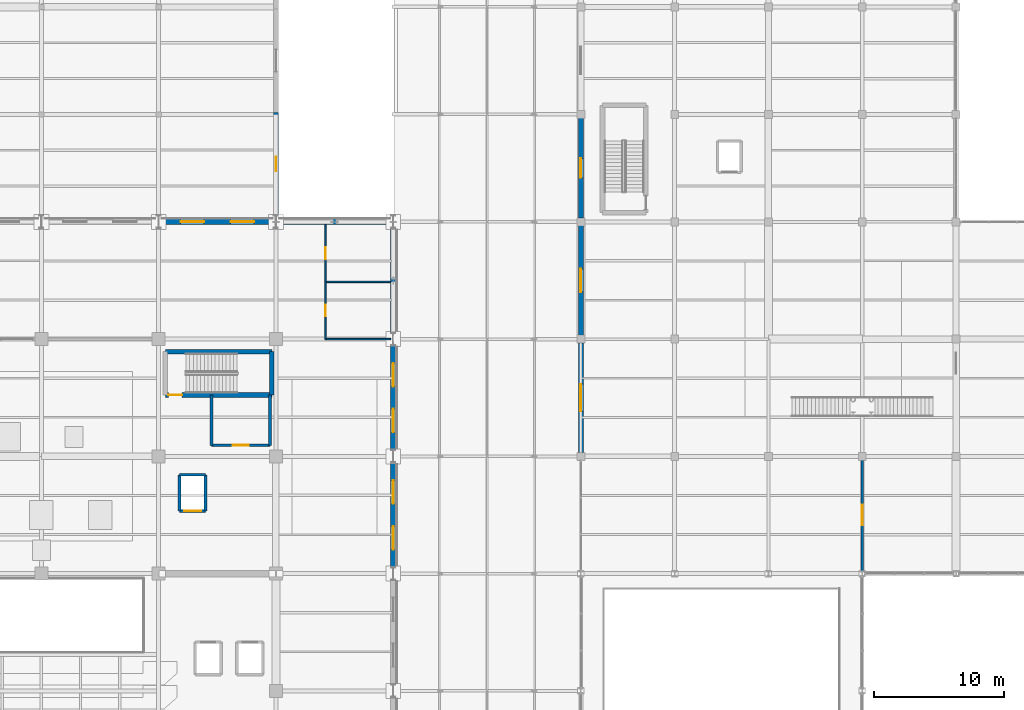
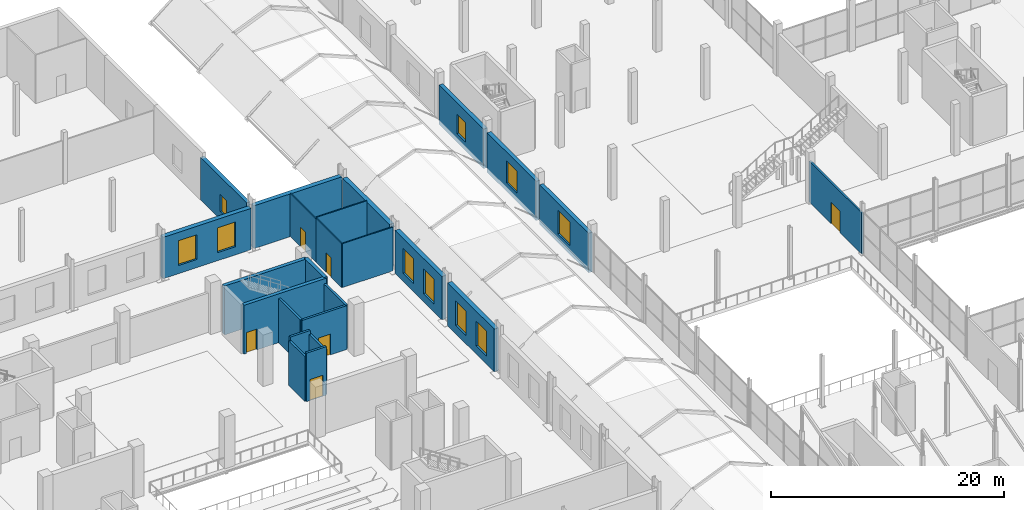
# One storey, part 121 of 141: 24 walls, 10 windows, 6 doors, 16 openings.
"""IFC4 building model written with IfcOpenShell, lengths in metres."""

import ifcopenshell
import ifcopenshell.guid

model = None  # the IFC model being written
_history = None  # IfcOwnerHistory: only IFC2X3 demands one
_inside = {}  # id of a spatial element -> (the spatial element, [elements in it])
_under = {}  # id of a project, library or spatial element -> (it, [spatial elements below it])
_declared = {}  # id of a project -> (the project, [libraries it declares])
_typed = {}  # id of a type object -> (the type object, [elements of that type])
_made_of = {}  # id of a material, layer set ... -> (it, [elements and type objects made of it])


def new_model(schema):
    """Start an empty IFC model of exactly this schema.

    Asked for "IFC4X3", IfcOpenShell would pick the latest addendum, in which some entities
    have other attributes; the version numbers below select the first issue.
    IFC2X3 requires an IfcOwnerHistory on every rooted entity: one is made here for all.
    """
    global model, _history
    if schema == "IFC4X3":
        model = ifcopenshell.file(schema_version=(4, 3, 0, 0))
    else:
        model = ifcopenshell.file(schema=schema)
    _inside.clear()
    _under.clear()
    _declared.clear()
    _typed.clear()
    _made_of.clear()
    _history = None
    if model.schema == "IFC2X3":
        org = make("IfcOrganization", Name="unknown")
        user = make(
            "IfcPersonAndOrganization",
            ThePerson=make("IfcPerson", FamilyName="unknown"),
            TheOrganization=org,
        )
        app = make(
            "IfcApplication",
            ApplicationDeveloper=org,
            Version="unknown",
            ApplicationFullName="unknown",
            ApplicationIdentifier="unknown",
        )
        _history = make(
            "IfcOwnerHistory",
            OwningUser=user,
            OwningApplication=app,
            ChangeAction="ADDED",
            CreationDate=0,
        )
    return model


def make(cls, **values):
    """One entity of the class cls with the attributes given. An attribute that is None is left unset."""
    return model.create_entity(
        cls, **{name: value for name, value in values.items() if value is not None}
    )


def rooted(cls, **values):
    """An entity with a GlobalId (a new one), such as an element, a storey or a relation."""
    return make(cls, GlobalId=ifcopenshell.guid.new(), OwnerHistory=_history, **values)


def si_unit(unit_type, name, prefix=None):
    """IfcSIUnit, for example si_unit("LENGTHUNIT", "METRE", prefix="MILLI")."""
    return make("IfcSIUnit", UnitType=unit_type, Prefix=prefix, Name=name)


def assignment(units):
    """IfcUnitAssignment: the units of a project."""
    return None if units is None else make("IfcUnitAssignment", Units=units)


def point(xyz):
    """IfcCartesianPoint."""
    return None if xyz is None else make("IfcCartesianPoint", Coordinates=xyz)


def direction(xyz):
    """IfcDirection."""
    return None if xyz is None else make("IfcDirection", DirectionRatios=xyz)


def frame(location, z_axis=None, x_axis=None):
    """IfcAxis2Placement3D, a coordinate frame: its origin and axes. An axis left out is left unset."""
    return make(
        "IfcAxis2Placement3D",
        Location=point(location),
        Axis=direction(z_axis),
        RefDirection=direction(x_axis),
    )


def frame_2d(location, x_axis=None):
    """IfcAxis2Placement2D, a coordinate frame in the plane: its origin and x axis."""
    return make(
        "IfcAxis2Placement2D", Location=point(location), RefDirection=direction(x_axis)
    )


def origin():
    """The frame at (0, 0, 0) with its axes left unset."""
    return frame((0.0, 0.0, 0.0))


def place(relative_to, where):
    """IfcLocalPlacement: puts the frame where relative to a parent placement (None: the world)."""
    return make(
        "IfcLocalPlacement", PlacementRelTo=relative_to, RelativePlacement=where
    )


def context(
    kind, dimensions, precision=None, world=None, true_north=None, identifier=None
):
    """IfcGeometricRepresentationContext, for example the 3D "Model" context."""
    return make(
        "IfcGeometricRepresentationContext",
        ContextIdentifier=identifier,
        ContextType=kind,
        CoordinateSpaceDimension=dimensions,
        Precision=precision,
        WorldCoordinateSystem=world,
        TrueNorth=true_north,
    )


def subcontext(parent, identifier, kind, view, scale=None):
    """IfcGeometricRepresentationSubContext, for example "Body" below "Model"."""
    return make(
        "IfcGeometricRepresentationSubContext",
        ContextIdentifier=identifier,
        ContextType=kind,
        ParentContext=parent,
        TargetScale=scale,
        TargetView=view,
    )


def project(units=None, contexts=None):
    """IfcProject with its units and contexts."""
    return rooted(
        "IfcProject",
        Name="project",
        RepresentationContexts=contexts,
        UnitsInContext=assignment(units),
    )


def spatial(cls, under=None, at=None, **own):
    """A site, building, storey or space (cls), placed at a placement, below another one or the project."""
    s = rooted(cls, ObjectPlacement=at, **own)
    if under is not None:
        _under.setdefault(under.id(), (under, []))[1].append(s)
    return s


def profile(cls, at=None, kind="AREA", **sizes):
    """A parametric profile (cls). Its sizes go by their IFC names, for example OverallWidth=200.0."""
    return make(cls, ProfileType=kind, Position=at, **sizes)


def rectangle(**sizes):
    """IfcRectangleProfileDef."""
    return profile("IfcRectangleProfileDef", **sizes)


def extrude(swept, where, along, depth):
    """IfcExtrudedAreaSolid: the profile swept, set in the frame where, extruded along a direction by depth."""
    return make(
        "IfcExtrudedAreaSolid",
        SweptArea=swept,
        Position=where,
        ExtrudedDirection=direction(along),
        Depth=depth,
    )


def shape(context_of_items, identifier, shape_type, items):
    """IfcShapeRepresentation: the items that make up one representation, for example the "Body"."""
    return make(
        "IfcShapeRepresentation",
        ContextOfItems=context_of_items,
        RepresentationIdentifier=identifier,
        RepresentationType=shape_type,
        Items=items,
    )


def material(Name=None, Category=None):
    """IfcMaterial."""
    return make("IfcMaterial", Name=Name, Category=Category)


def layer(
    of_material, thickness, ventilated=None, Name=None, Category=None, Priority=None
):
    """IfcMaterialLayer: one layer of a wall or slab, of a material (None: an air gap)."""
    return make(
        "IfcMaterialLayer",
        Material=of_material,
        LayerThickness=thickness,
        IsVentilated=ventilated,
        Name=Name,
        Category=Category,
        Priority=Priority,
    )


def layer_set(layers, Name=None):
    """IfcMaterialLayerSet."""
    return make("IfcMaterialLayerSet", MaterialLayers=layers, LayerSetName=Name)


def made_of(thing, what):
    """Note that an element or type object is made of a material, layer set ...; save() writes the relation."""
    if what is not None:
        _made_of.setdefault(what.id(), (what, []))[1].append(thing)
    return thing


def type_object(cls, material=None, **own):
    """A type object (cls), such as IfcWallType, which elements share."""
    return made_of(rooted(cls, **own), material)


def element(
    cls,
    number,
    at=None,
    inside=None,
    cuts=None,
    type_object=None,
    material=None,
    context=None,
    identifier="Body",
    shape_type=None,
    held_by="IfcProductDefinitionShape",
    body=None,
    shapes=None,
    **own,
):
    """One element of the class cls, such as IfcWall. Its Tag is "e" and its number.

    at: its placement. inside: the storey or other place that contains it. cuts: it is an
    opening in that element (IfcRelVoidsElement). A single representation is given by context,
    identifier, shape_type and body (its items); several are given by shapes. held_by: the class
    of the entity that holds the representations. save() writes the other relations.
    """
    e = rooted(cls, Tag="e%d" % number, ObjectPlacement=at, **own)
    if body is not None:
        shapes = [shape(context, identifier, shape_type, body)]
    if shapes is not None:
        e.Representation = make(held_by, Representations=shapes)
    if inside is not None:
        _inside.setdefault(inside.id(), (inside, []))[1].append(e)
    if cuts is not None:
        rooted(
            "IfcRelVoidsElement", RelatingBuildingElement=cuts, RelatedOpeningElement=e
        )
    if type_object is not None:
        _typed.setdefault(type_object.id(), (type_object, []))[1].append(e)
    return made_of(e, material)


def fill(opening, filler):
    """IfcRelFillsElement: the door or window that sits in an opening."""
    return rooted(
        "IfcRelFillsElement",
        RelatingOpeningElement=opening,
        RelatedBuildingElement=filler,
    )


def aggregate(whole, parts):
    """IfcRelAggregates: a whole, such as a stair, and the parts it consists of."""
    return rooted("IfcRelAggregates", RelatingObject=whole, RelatedObjects=parts)


def save(model, path):
    """Write the relations noted so far, then the file.

    IfcRelAggregates (storeys below a building ...), IfcRelContainedInSpatialStructure (elements
    in a storey), IfcRelDefinesByType, IfcRelAssociatesMaterial and IfcRelDeclares: one each for
    every whole, place, type object, material and project.
    """
    for whole, parts in _under.values():
        aggregate(whole, parts)
    for where, things in _inside.values():
        rooted(
            "IfcRelContainedInSpatialStructure",
            RelatedElements=things,
            RelatingStructure=where,
        )
    for kind, things in _typed.values():
        rooted("IfcRelDefinesByType", RelatedObjects=things, RelatingType=kind)
    for what, things in _made_of.values():
        rooted("IfcRelAssociatesMaterial", RelatedObjects=things, RelatingMaterial=what)
    for by, libraries in _declared.values():
        rooted("IfcRelDeclares", RelatingContext=by, RelatedDefinitions=libraries)
    model.write(path)


model = new_model("IFC4")

# Units and contexts
model_context = context("Model", 3, precision=1e-05, world=origin(), true_north=direction((0.0, 1.0)))
body_context = subcontext(model_context, "Body", "Model", "MODEL_VIEW")
ifc_project = project(units=[si_unit("LENGTHUNIT", "METRE"), si_unit("AREAUNIT", "SQUARE_METRE"), si_unit("VOLUMEUNIT", "CUBIC_METRE"), si_unit("PLANEANGLEUNIT", "RADIAN"), si_unit("MASSUNIT", "GRAM", prefix="KILO")], contexts=[model_context])

# Site, building, storey
site_placement = place(None, origin())
site = spatial("IfcSite", under=ifc_project, at=site_placement, CompositionType="ELEMENT")
building_placement = place(site_placement, origin())
building = spatial("IfcBuilding", under=site, at=building_placement, Name="Sundgate Opera House", CompositionType="ELEMENT")
storey_placement = place(building_placement, frame((0.0, 0.0, 11.39990234375)))
storey = spatial("IfcBuildingStorey", under=building, at=storey_placement, Name="L02", CompositionType="ELEMENT", Elevation=11.39990234375)

# Wall, opening, door
ifc_material_1 = material(Name="Concrete C40/50", Category="concrete")
ifc_layer_1 = layer(ifc_material_1, 0.35009765625)
ifc_layer_set_1 = layer_set([ifc_layer_1], Name="Concrete C40/50")
wall_type_1 = type_object("IfcWallType", Name="WL-CORE-350", PredefinedType="SHEAR", material=ifc_layer_set_1)
wall_1_placement = place(storey_placement, frame((63.510009765625, 73.7099609375, 0.0), z_axis=(0.0, 0.0, 1.0), x_axis=(1.0, 0.0, 0.0)))
wall_1 = element("IfcWall", 1, at=wall_1_placement, inside=storey, type_object=wall_type_1, Name="L02 C4 South Shaft Wall", PredefinedType="SHEAR", context=body_context, shape_type="SweptSolid", body=[
    extrude(rectangle(XDim=8.179931640625, YDim=0.35009765625, at=frame_2d((4.08984375, 0.0))), origin(), (0.0, 0.0, 1.0), 5.1201171875),
])
opening_1_placement = place(wall_1_placement, frame((0.239990234375, 0.0, 0.0)))
opening_1 = element("IfcOpeningElement", 2, at=opening_1_placement, cuts=wall_1, Name="Opening DI01", PredefinedType="OPENING", context=body_context, shape_type="SweptSolid", body=[
    extrude(rectangle(XDim=1.050048828125, YDim=2.179931640625, at=frame_2d((0.52490234375, 1.08984375))), frame((0.0, 0.18505859375, 0.0), z_axis=(0.0, -1.0, 0.0), x_axis=(1.0, 0.0, 0.0)), (0.0, 0.0, 1.0), 0.3701171875),
])
ifc_material_2 = material(Name="Acoustic hardwood timber and steel core", Category="steel")
door_type_1 = type_object("IfcDoorType", Name="DR-STAIR-1050x2180", OperationType="NOTDEFINED", PredefinedType="DOOR", material=ifc_material_2)
door_1_placement = place(opening_1_placement, origin())
door_1 = element("IfcDoor", 3, at=door_1_placement, inside=storey, type_object=door_type_1, Name="L02 C4 Stair Door D0062", OperationType="SINGLE_SWING_RIGHT", OverallHeight=2.179931640625, OverallWidth=1.050048828125, PredefinedType="DOOR", context=body_context, shape_type="SweptSolid", body=[
    extrude(rectangle(XDim=1.050048828125, YDim=2.179931640625, at=frame_2d((0.52490234375, 1.08984375))), frame((0.0, 0.02490234375, 0.0), z_axis=(0.0, -1.0, 0.0), x_axis=(1.0, 0.0, 0.0)), (0.0, 0.0, 1.0), 0.050048828125),
])
fill(opening_1, door_1)

# Walls
wall_2_placement = place(storey_placement, frame((63.510009765625, 77.0400390625, 0.0), z_axis=(0.0, 0.0, 1.0), x_axis=(1.0, 0.0, 0.0)))
element("IfcWall", 4, at=wall_2_placement, inside=storey, type_object=wall_type_1, Name="L02 C4 North Shaft Wall", PredefinedType="SHEAR", context=body_context, shape_type="SweptSolid", body=[
    extrude(rectangle(XDim=8.179931640625, YDim=0.35009765625, at=frame_2d((4.08984375, 0.0))), origin(), (0.0, 0.0, 1.0), 5.1201171875),
])
wall_3_placement = place(storey_placement, frame((71.68994140625, 73.7099609375, 0.0), z_axis=(0.0, 0.0, 1.0), x_axis=(0.0, 1.0, 0.0)))
element("IfcWall", 5, at=wall_3_placement, inside=storey, type_object=wall_type_1, Name="L02 C4 East Shaft Wall", PredefinedType="SHEAR", context=body_context, shape_type="SweptSolid", body=[
    extrude(rectangle(XDim=3.330078125, YDim=0.35009765625, at=frame_2d((1.6650390625, 0.0))), origin(), (0.0, 0.0, 1.0), 5.1201171875),
])

# Wall, opening, window
ifc_material_3 = material(Name="Scanian red-brown facing brick masonry", Category="masonry")
ifc_layer_2 = layer(ifc_material_3, 0.360107421875)
ifc_layer_set_2 = layer_set([ifc_layer_2], Name="Scanian red-brown facing brick masonry")
wall_type_2 = type_object("IfcWallType", Name="WL-EXT-BRICK-360", PredefinedType="SOLIDWALL", material=ifc_layer_set_2)
wall_4_placement = place(storey_placement, frame((72.0, 87.4951171875, 0.0), z_axis=(0.0, 0.0, 1.0), x_axis=(0.0, 1.0, 0.0)))
wall_4 = element("IfcWall", 6, at=wall_4_placement, inside=storey, type_object=wall_type_2, Name="L02 Costume Wing East Wall W0417", PredefinedType="SOLIDWALL", context=body_context, shape_type="SweptSolid", body=[
    extrude(rectangle(XDim=7.914794921875, YDim=0.360107421875, at=frame_2d((3.95751953125, 0.0))), origin(), (0.0, 0.0, 1.0), 4.485107421875),
])
opening_2_placement = place(wall_4_placement, frame((3.406982421875, 0.0, 0.85009765625)))
opening_2 = element("IfcOpeningElement", 7, at=opening_2_placement, cuts=wall_4, Name="Opening W12", PredefinedType="OPENING", context=body_context, shape_type="SweptSolid", body=[
    extrude(rectangle(XDim=1.10009765625, YDim=1.800048828125, at=frame_2d((0.550048828125, 0.89990234375))), frame((0.0, 0.18994140625, 0.0), z_axis=(0.0, -1.0, 0.0), x_axis=(1.0, 0.0, 0.0)), (0.0, 0.0, 1.0), 0.380126953125),
])
ifc_material_4 = material(Name="Low-iron triple glazing in patinated bronze frame", Category="glass")
window_type_1 = type_object("IfcWindowType", Name="WN-STAGE-1100x1800", PartitioningType="SINGLE_PANEL", PredefinedType="WINDOW", material=ifc_material_4)
window_1_placement = place(opening_2_placement, origin())
window_1 = element("IfcWindow", 8, at=window_1_placement, inside=storey, type_object=window_type_1, Name="L02 Costume Pavilion Window WN0330", OverallHeight=1.800048828125, OverallWidth=1.10009765625, PartitioningType="SINGLE_PANEL", PredefinedType="WINDOW", context=body_context, shape_type="SweptSolid", body=[
    extrude(rectangle(XDim=1.10009765625, YDim=1.800048828125, at=frame_2d((0.550048828125, 0.89990234375))), frame((0.0, 0.030029296875, 0.0), z_axis=(0.0, -1.0, 0.0), x_axis=(1.0, 0.0, 0.0)), (0.0, 0.0, 1.0), 0.06005859375),
])
fill(opening_2, window_1)

ifc_material_5 = material(Name="Scanian red-brown facing brick masonry", Category="masonry")
ifc_layer_3 = layer(ifc_material_5, 0.389892578125)
ifc_layer_set_3 = layer_set([ifc_layer_3], Name="Scanian red-brown facing brick masonry")
wall_type_3 = type_object("IfcWallType", Name="WL-EXT-BRICK-390", PredefinedType="SOLIDWALL", material=ifc_layer_set_3)
wall_5_placement = place(storey_placement, frame((95.39990234375, 77.705078125, 0.0), z_axis=(0.0, 0.0, 1.0), x_axis=(0.0, -1.0, 0.0)))
wall_5 = element("IfcWall", 9, at=wall_5_placement, inside=storey, type_object=wall_type_3, Name="L02 Conservatory West Brick Wall W0240", PredefinedType="SOLIDWALL", context=body_context, shape_type="SweptSolid", body=[
    extrude(rectangle(XDim=8.41015625, YDim=0.389892578125, at=frame_2d((4.205078125, 0.0))), origin(), (0.0, 0.0, 1.0), 4.135009765625),
])
opening_3_placement = place(wall_5_placement, frame((3.155029296875, 0.0, 0.89990234375)))
opening_3 = element("IfcOpeningElement", 10, at=opening_3_placement, cuts=wall_5, Name="Opening W04", PredefinedType="OPENING", context=body_context, shape_type="SweptSolid", body=[
    extrude(rectangle(XDim=2.10009765625, YDim=2.5, at=frame_2d((1.050048828125, 1.25))), frame((0.0, 0.204833984375, 0.0), z_axis=(0.0, -1.0, 0.0), x_axis=(1.0, 0.0, 0.0)), (0.0, 0.0, 1.0), 0.409912109375),
])
ifc_material_6 = material(Name="Low-iron triple glazing in patinated bronze frame", Category="glass")
window_type_2 = type_object("IfcWindowType", Name="WN-CONS-2100x2500", PartitioningType="SINGLE_PANEL", PredefinedType="WINDOW", material=ifc_material_6)
window_2_placement = place(opening_3_placement, origin())
window_2 = element("IfcWindow", 11, at=window_2_placement, inside=storey, type_object=window_type_2, Name="L02 Conservatory Window WN0188", OverallHeight=2.5, OverallWidth=2.10009765625, PartitioningType="SINGLE_PANEL", PredefinedType="WINDOW", context=body_context, shape_type="SweptSolid", body=[
    extrude(rectangle(XDim=2.10009765625, YDim=2.5, at=frame_2d((1.050048828125, 1.25))), frame((0.0, 0.030029296875, 0.0), z_axis=(0.0, -1.0, 0.0), x_axis=(1.0, 0.0, 0.0)), (0.0, 0.0, 1.0), 0.06005859375),
])
fill(opening_3, window_2)

wall_6_placement = place(storey_placement, frame((95.39990234375, 86.705078125, 0.0), z_axis=(0.0, 0.0, 1.0), x_axis=(0.0, -1.0, 0.0)))
wall_6 = element("IfcWall", 12, at=wall_6_placement, inside=storey, type_object=wall_type_3, Name="L02 Conservatory West Brick Wall W0241", PredefinedType="SOLIDWALL", context=body_context, shape_type="SweptSolid", body=[
    extrude(rectangle(XDim=8.41015625, YDim=0.389892578125, at=frame_2d((4.205078125, 0.0))), origin(), (0.0, 0.0, 1.0), 4.135009765625),
])
opening_4_placement = place(wall_6_placement, frame((3.304931640625, 0.0, 0.89990234375)))
opening_4 = element("IfcOpeningElement", 13, at=opening_4_placement, cuts=wall_6, Name="Opening W05", PredefinedType="OPENING", context=body_context, shape_type="SweptSolid", body=[
    extrude(rectangle(XDim=1.800048828125, YDim=2.300048828125, at=frame_2d((0.89990234375, 1.14990234375))), frame((0.0, 0.204833984375, 0.0), z_axis=(0.0, -1.0, 0.0), x_axis=(1.0, 0.0, 0.0)), (0.0, 0.0, 1.0), 0.409912109375),
])
ifc_material_7 = material(Name="Low-iron triple glazing in patinated bronze frame", Category="glass")
window_type_3 = type_object("IfcWindowType", Name="WN-CONS-1800x2300", PartitioningType="SINGLE_PANEL", PredefinedType="WINDOW", material=ifc_material_7)
window_3_placement = place(opening_4_placement, origin())
window_3 = element("IfcWindow", 14, at=window_3_placement, inside=storey, type_object=window_type_3, Name="L02 Conservatory Window WN0189", OverallHeight=2.300048828125, OverallWidth=1.800048828125, PartitioningType="SINGLE_PANEL", PredefinedType="WINDOW", context=body_context, shape_type="SweptSolid", body=[
    extrude(rectangle(XDim=1.800048828125, YDim=2.300048828125, at=frame_2d((0.89990234375, 1.14990234375))), frame((0.0, 0.030029296875, 0.0), z_axis=(0.0, -1.0, 0.0), x_axis=(1.0, 0.0, 0.0)), (0.0, 0.0, 1.0), 0.06005859375),
])
fill(opening_4, window_3)

wall_7_placement = place(storey_placement, frame((95.39990234375, 94.955078125, 0.0), z_axis=(0.0, 0.0, 1.0), x_axis=(0.0, -1.0, 0.0)))
wall_7 = element("IfcWall", 15, at=wall_7_placement, inside=storey, type_object=wall_type_3, Name="L02 Conservatory West Brick Wall W0242", PredefinedType="SOLIDWALL", context=body_context, shape_type="SweptSolid", body=[
    extrude(rectangle(XDim=7.66015625, YDim=0.389892578125, at=frame_2d((3.830078125, 0.0))), origin(), (0.0, 0.0, 1.0), 4.135009765625),
])
opening_5_placement = place(wall_7_placement, frame((3.080078125, 0.0, 0.89990234375)))
opening_5 = element("IfcOpeningElement", 16, at=opening_5_placement, cuts=wall_7, Name="Opening W06", PredefinedType="OPENING", context=body_context, shape_type="SweptSolid", body=[
    extrude(rectangle(XDim=1.5, YDim=2.050048828125, at=frame_2d((0.75, 1.02490234375))), frame((0.0, 0.204833984375, 0.0), z_axis=(0.0, -1.0, 0.0), x_axis=(1.0, 0.0, 0.0)), (0.0, 0.0, 1.0), 0.409912109375),
])
ifc_material_8 = material(Name="Low-iron triple glazing in patinated bronze frame", Category="glass")
window_type_4 = type_object("IfcWindowType", Name="WN-CONS-1500x2050", PartitioningType="SINGLE_PANEL", PredefinedType="WINDOW", material=ifc_material_8)
window_4_placement = place(opening_5_placement, origin())
window_4 = element("IfcWindow", 17, at=window_4_placement, inside=storey, type_object=window_type_4, Name="L02 Conservatory Window WN0190", OverallHeight=2.050048828125, OverallWidth=1.5, PartitioningType="SINGLE_PANEL", PredefinedType="WINDOW", context=body_context, shape_type="SweptSolid", body=[
    extrude(rectangle(XDim=1.5, YDim=2.050048828125, at=frame_2d((0.75, 1.02490234375))), frame((0.0, 0.030029296875, 0.0), z_axis=(0.0, -1.0, 0.0), x_axis=(1.0, 0.0, 0.0)), (0.0, 0.0, 1.0), 0.06005859375),
])
fill(opening_5, window_4)

# Wall, openings, windows
ifc_material_9 = material(Name="Komstad limestone ashlar masonry", Category="masonry")
ifc_layer_4 = layer(ifc_material_9, 0.43994140625)
ifc_layer_set_4 = layer_set([ifc_layer_4], Name="Komstad limestone ashlar masonry")
wall_type_4 = type_object("IfcWallType", Name="WL-EXT-LIME-440", PredefinedType="SOLIDWALL", material=ifc_layer_set_4)
wall_8_placement = place(storey_placement, frame((63.14501953125, 87.0, 0.0), z_axis=(0.0, 0.0, 1.0), x_axis=(1.0, 0.0, 0.0)))
wall_8 = element("IfcWall", 18, at=wall_8_placement, inside=storey, type_object=wall_type_4, Name="L02 Lifted Cube North Relief Wall W0054", PredefinedType="SOLIDWALL", context=body_context, shape_type="SweptSolid", body=[
    extrude(rectangle(XDim=8.7099609375, YDim=0.43994140625, at=frame_2d((4.35498046875, 0.0))), origin(), (0.0, 0.0, 1.0), 4.335205078125),
])
opening_6_placement = place(wall_8_placement, frame((1.5390625, 0.0, 0.85009765625)))
opening_6 = element("IfcOpeningElement", 19, at=opening_6_placement, cuts=wall_8, Name="Opening W01", PredefinedType="OPENING", context=body_context, shape_type="SweptSolid", body=[
    extrude(rectangle(XDim=1.800048828125, YDim=2.60009765625, at=frame_2d((0.89990234375, 1.300048828125))), frame((0.0, 0.22998046875, 0.0), z_axis=(0.0, -1.0, 0.0), x_axis=(1.0, 0.0, 0.0)), (0.0, 0.0, 1.0), 0.4599609375),
])
opening_7_placement = place(wall_8_placement, frame((5.37109375, 0.0, 0.85009765625)))
opening_7 = element("IfcOpeningElement", 20, at=opening_7_placement, cuts=wall_8, Name="Opening W01", PredefinedType="OPENING", context=body_context, shape_type="SweptSolid", body=[
    extrude(rectangle(XDim=1.800048828125, YDim=2.60009765625, at=frame_2d((0.89990234375, 1.300048828125))), frame((0.0, 0.22998046875, 0.0), z_axis=(0.0, -1.0, 0.0), x_axis=(1.0, 0.0, 0.0)), (0.0, 0.0, 1.0), 0.4599609375),
])
ifc_material_10 = material(Name="Low-iron triple glazing in patinated bronze frame", Category="glass")
window_type_5 = type_object("IfcWindowType", Name="WN-CUBE-1800x2600", PartitioningType="SINGLE_PANEL", PredefinedType="WINDOW", material=ifc_material_10)
window_5_placement = place(opening_6_placement, origin())
window_5 = element("IfcWindow", 21, at=window_5_placement, inside=storey, type_object=window_type_5, Name="L02 Cube Loggia Window WN0015", OverallHeight=2.60009765625, OverallWidth=1.800048828125, PartitioningType="SINGLE_PANEL", PredefinedType="WINDOW", context=body_context, shape_type="SweptSolid", body=[
    extrude(rectangle(XDim=1.800048828125, YDim=2.60009765625, at=frame_2d((0.89990234375, 1.300048828125))), frame((0.0, 0.030029296875, 0.0), z_axis=(0.0, -1.0, 0.0), x_axis=(1.0, 0.0, 0.0)), (0.0, 0.0, 1.0), 0.06005859375),
])
fill(opening_6, window_5)
window_6_placement = place(opening_7_placement, origin())
window_6 = element("IfcWindow", 22, at=window_6_placement, inside=storey, type_object=window_type_5, Name="L02 Cube Loggia Window WN0016", OverallHeight=2.60009765625, OverallWidth=1.800048828125, PartitioningType="SINGLE_PANEL", PredefinedType="WINDOW", context=body_context, shape_type="SweptSolid", body=[
    extrude(rectangle(XDim=1.800048828125, YDim=2.60009765625, at=frame_2d((0.89990234375, 1.300048828125))), frame((0.0, 0.030029296875, 0.0), z_axis=(0.0, -1.0, 0.0), x_axis=(1.0, 0.0, 0.0)), (0.0, 0.0, 1.0), 0.06005859375),
])
fill(opening_7, window_6)

# Wall
wall_9_placement = place(storey_placement, frame((72.14501953125, 87.0, 0.0), z_axis=(0.0, 0.0, 1.0), x_axis=(1.0, 0.0, 0.0)))
element("IfcWall", 23, at=wall_9_placement, inside=storey, type_object=wall_type_4, Name="L02 Lifted Cube North Relief Wall W0056", PredefinedType="SOLIDWALL", context=body_context, shape_type="SweptSolid", body=[
    extrude(rectangle(XDim=8.7099609375, YDim=0.43994140625, at=frame_2d((4.35498046875, 0.0))), origin(), (0.0, 0.0, 1.0), 4.485107421875),
])

# Wall, openings, windows
wall_10_placement = place(storey_placement, frame((81.0, 60.4951171875, 0.0), z_axis=(0.0, 0.0, 1.0), x_axis=(0.0, 1.0, 0.0)))
wall_10 = element("IfcWall", 24, at=wall_10_placement, inside=storey, type_object=wall_type_4, Name="L02 Lifted Cube East Relief Wall W0064", PredefinedType="SOLIDWALL", context=body_context, shape_type="SweptSolid", body=[
    extrude(rectangle(XDim=8.009765625, YDim=0.43994140625, at=frame_2d((4.0048828125, 0.0))), origin(), (0.0, 0.0, 1.0), 4.4951171875),
])
opening_8_placement = place(wall_10_placement, frame((1.343017578125, 0.0, 0.85009765625)))
opening_8 = element("IfcOpeningElement", 25, at=opening_8_placement, cuts=wall_10, Name="Opening W01", PredefinedType="OPENING", context=body_context, shape_type="SweptSolid", body=[
    extrude(rectangle(XDim=1.800048828125, YDim=2.60009765625, at=frame_2d((0.89990234375, 1.300048828125))), frame((0.0, 0.22998046875, 0.0), z_axis=(0.0, -1.0, 0.0), x_axis=(1.0, 0.0, 0.0)), (0.0, 0.0, 1.0), 0.4599609375),
])
opening_9_placement = place(wall_10_placement, frame((4.866943359375, 0.0, 0.85009765625)))
opening_9 = element("IfcOpeningElement", 26, at=opening_9_placement, cuts=wall_10, Name="Opening W01", PredefinedType="OPENING", context=body_context, shape_type="SweptSolid", body=[
    extrude(rectangle(XDim=1.800048828125, YDim=2.60009765625, at=frame_2d((0.89990234375, 1.300048828125))), frame((0.0, 0.22998046875, 0.0), z_axis=(0.0, -1.0, 0.0), x_axis=(1.0, 0.0, 0.0)), (0.0, 0.0, 1.0), 0.4599609375),
])
window_7_placement = place(opening_8_placement, origin())
window_7 = element("IfcWindow", 27, at=window_7_placement, inside=storey, type_object=window_type_5, Name="L02 Cube Loggia Window WN0025", OverallHeight=2.60009765625, OverallWidth=1.800048828125, PartitioningType="SINGLE_PANEL", PredefinedType="WINDOW", context=body_context, shape_type="SweptSolid", body=[
    extrude(rectangle(XDim=1.800048828125, YDim=2.60009765625, at=frame_2d((0.89990234375, 1.300048828125))), frame((0.0, 0.030029296875, 0.0), z_axis=(0.0, -1.0, 0.0), x_axis=(1.0, 0.0, 0.0)), (0.0, 0.0, 1.0), 0.06005859375),
])
fill(opening_8, window_7)
window_8_placement = place(opening_9_placement, origin())
window_8 = element("IfcWindow", 28, at=window_8_placement, inside=storey, type_object=window_type_5, Name="L02 Cube Loggia Window WN0026", OverallHeight=2.60009765625, OverallWidth=1.800048828125, PartitioningType="SINGLE_PANEL", PredefinedType="WINDOW", context=body_context, shape_type="SweptSolid", body=[
    extrude(rectangle(XDim=1.800048828125, YDim=2.60009765625, at=frame_2d((0.89990234375, 1.300048828125))), frame((0.0, 0.030029296875, 0.0), z_axis=(0.0, -1.0, 0.0), x_axis=(1.0, 0.0, 0.0)), (0.0, 0.0, 1.0), 0.06005859375),
])
fill(opening_9, window_8)

wall_11_placement = place(storey_placement, frame((81.0, 69.4951171875, 0.0), z_axis=(0.0, 0.0, 1.0), x_axis=(0.0, 1.0, 0.0)))
wall_11 = element("IfcWall", 29, at=wall_11_placement, inside=storey, type_object=wall_type_4, Name="L02 Lifted Cube East Relief Wall W0066", PredefinedType="SOLIDWALL", context=body_context, shape_type="SweptSolid", body=[
    extrude(rectangle(XDim=8.009765625, YDim=0.43994140625, at=frame_2d((4.0048828125, 0.0))), origin(), (0.0, 0.0, 1.0), 4.53515625),
])
opening_10_placement = place(wall_11_placement, frame((1.343017578125, 0.0, 0.85009765625)))
opening_10 = element("IfcOpeningElement", 30, at=opening_10_placement, cuts=wall_11, Name="Opening W01", PredefinedType="OPENING", context=body_context, shape_type="SweptSolid", body=[
    extrude(rectangle(XDim=1.800048828125, YDim=2.60009765625, at=frame_2d((0.89990234375, 1.300048828125))), frame((0.0, 0.22998046875, 0.0), z_axis=(0.0, -1.0, 0.0), x_axis=(1.0, 0.0, 0.0)), (0.0, 0.0, 1.0), 0.4599609375),
])
opening_11_placement = place(wall_11_placement, frame((4.866943359375, 0.0, 0.85009765625)))
opening_11 = element("IfcOpeningElement", 31, at=opening_11_placement, cuts=wall_11, Name="Opening W01", PredefinedType="OPENING", context=body_context, shape_type="SweptSolid", body=[
    extrude(rectangle(XDim=1.800048828125, YDim=2.60009765625, at=frame_2d((0.89990234375, 1.300048828125))), frame((0.0, 0.22998046875, 0.0), z_axis=(0.0, -1.0, 0.0), x_axis=(1.0, 0.0, 0.0)), (0.0, 0.0, 1.0), 0.4599609375),
])
window_9_placement = place(opening_10_placement, origin())
window_9 = element("IfcWindow", 32, at=window_9_placement, inside=storey, type_object=window_type_5, Name="L02 Cube Loggia Window WN0029", OverallHeight=2.60009765625, OverallWidth=1.800048828125, PartitioningType="SINGLE_PANEL", PredefinedType="WINDOW", context=body_context, shape_type="SweptSolid", body=[
    extrude(rectangle(XDim=1.800048828125, YDim=2.60009765625, at=frame_2d((0.89990234375, 1.300048828125))), frame((0.0, 0.030029296875, 0.0), z_axis=(0.0, -1.0, 0.0), x_axis=(1.0, 0.0, 0.0)), (0.0, 0.0, 1.0), 0.06005859375),
])
fill(opening_10, window_9)
window_10_placement = place(opening_11_placement, origin())
window_10 = element("IfcWindow", 33, at=window_10_placement, inside=storey, type_object=window_type_5, Name="L02 Cube Loggia Window WN0030", OverallHeight=2.60009765625, OverallWidth=1.800048828125, PartitioningType="SINGLE_PANEL", PredefinedType="WINDOW", context=body_context, shape_type="SweptSolid", body=[
    extrude(rectangle(XDim=1.800048828125, YDim=2.60009765625, at=frame_2d((0.89990234375, 1.300048828125))), frame((0.0, 0.030029296875, 0.0), z_axis=(0.0, -1.0, 0.0), x_axis=(1.0, 0.0, 0.0)), (0.0, 0.0, 1.0), 0.06005859375),
])
fill(opening_11, window_10)

# Wall
wall_12_placement = place(storey_placement, frame((81.0, 78.4951171875, 0.0), z_axis=(0.0, 0.0, 1.0), x_axis=(0.0, 1.0, 0.0)))
element("IfcWall", 34, at=wall_12_placement, inside=storey, type_object=wall_type_4, Name="L02 Lifted Cube East Relief Wall W0068", PredefinedType="SOLIDWALL", context=body_context, shape_type="SweptSolid", body=[
    extrude(rectangle(XDim=8.009765625, YDim=0.43994140625, at=frame_2d((4.0048828125, 0.0))), origin(), (0.0, 0.0, 1.0), 4.53515625),
])

# Wall, opening, door
ifc_material_11 = material(Name="Fire-rated gypsum and mineral-wool shaft partition", Category="gypsum")
ifc_layer_5 = layer(ifc_material_11, 0.219970703125)
ifc_layer_set_5 = layer_set([ifc_layer_5], Name="Fire-rated gypsum and mineral-wool shaft partition")
wall_type_5 = type_object("IfcWallType", Name="WL-INT-FIRE-220", PredefinedType="PARTITIONING", material=ifc_layer_set_5)
wall_13_placement = place(storey_placement, frame((67.050048828125, 69.85009765625, 0.0), z_axis=(0.0, 0.0, 1.0), x_axis=(1.0, 0.0, 0.0)))
wall_13 = element("IfcWall", 35, at=wall_13_placement, inside=storey, type_object=wall_type_5, Name="L02 C4 Firefighting Lobby South Wall", PredefinedType="PARTITIONING", context=body_context, shape_type="SweptSolid", body=[
    extrude(rectangle(XDim=4.5, YDim=0.219970703125, at=frame_2d((2.25, 0.0))), origin(), (0.0, 0.0, 1.0), 4.585205078125),
])
opening_12_placement = place(wall_13_placement, frame((1.64990234375, 0.0, 0.0)))
opening_12 = element("IfcOpeningElement", 36, at=opening_12_placement, cuts=wall_13, Name="Opening DI02", PredefinedType="OPENING", context=body_context, shape_type="SweptSolid", body=[
    extrude(rectangle(XDim=1.199951171875, YDim=2.179931640625, at=frame_2d((0.60009765625, 1.08984375))), frame((0.0, 0.119873046875, 0.0), z_axis=(0.0, -1.0, 0.0), x_axis=(1.0, 0.0, 0.0)), (0.0, 0.0, 1.0), 0.239990234375),
])
ifc_material_12 = material(Name="Acoustic hardwood timber and steel core", Category="steel")
door_type_2 = type_object("IfcDoorType", Name="DR-FFLOB-1200x2180", OperationType="NOTDEFINED", PredefinedType="DOOR", material=ifc_material_12)
door_2_placement = place(opening_12_placement, origin())
door_2 = element("IfcDoor", 37, at=door_2_placement, inside=storey, type_object=door_type_2, Name="L02 C4 Firefighting Lobby Door D0063", OperationType="SINGLE_SWING_LEFT", OverallHeight=2.179931640625, OverallWidth=1.199951171875, PredefinedType="DOOR", context=body_context, shape_type="SweptSolid", body=[
    extrude(rectangle(XDim=1.199951171875, YDim=2.179931640625, at=frame_2d((0.60009765625, 1.08984375))), frame((0.0, 0.02490234375, 0.0), z_axis=(0.0, -1.0, 0.0), x_axis=(1.0, 0.0, 0.0)), (0.0, 0.0, 1.0), 0.050048828125),
])
fill(opening_12, door_2)

# Walls
wall_14_placement = place(storey_placement, frame((67.050048828125, 69.85009765625, 0.0), z_axis=(0.0, 0.0, 1.0), x_axis=(0.0, 1.0, 0.0)))
element("IfcWall", 38, at=wall_14_placement, inside=storey, type_object=wall_type_5, Name="L02 C4 Firefighting Lobby West Wall", PredefinedType="PARTITIONING", context=body_context, shape_type="SweptSolid", body=[
    extrude(rectangle(XDim=3.85986328125, YDim=0.219970703125, at=frame_2d((1.929931640625, 0.0))), origin(), (0.0, 0.0, 1.0), 4.635009765625),
])
wall_15_placement = place(storey_placement, frame((71.550048828125, 69.85009765625, 0.0), z_axis=(0.0, 0.0, 1.0), x_axis=(0.0, 1.0, 0.0)))
element("IfcWall", 39, at=wall_15_placement, inside=storey, type_object=wall_type_5, Name="L02 C4 Firefighting Lobby East Wall", PredefinedType="PARTITIONING", context=body_context, shape_type="SweptSolid", body=[
    extrude(rectangle(XDim=3.85986328125, YDim=0.219970703125, at=frame_2d((1.929931640625, 0.0))), origin(), (0.0, 0.0, 1.0), 4.585205078125),
])

# Wall, opening, door
wall_16_placement = place(storey_placement, frame((64.610107421875, 64.81005859375, 0.0), z_axis=(0.0, 0.0, 1.0), x_axis=(1.0, 0.0, 0.0)))
wall_16 = element("IfcWall", 40, at=wall_16_placement, inside=storey, type_object=wall_type_5, Name="L02 FF2 South Shaft Wall", PredefinedType="PARTITIONING", context=body_context, shape_type="SweptSolid", body=[
    extrude(rectangle(XDim=1.97998046875, YDim=0.219970703125, at=frame_2d((0.989990234375, 0.0))), origin(), (0.0, 0.0, 1.0), 5.085205078125),
])
opening_13_placement = place(wall_16_placement, frame((0.340087890625, 0.0, 0.0)))
opening_13 = element("IfcOpeningElement", 41, at=opening_13_placement, cuts=wall_16, Name="Opening LD2", PredefinedType="OPENING", context=body_context, shape_type="SweptSolid", body=[
    extrude(rectangle(XDim=1.300048828125, YDim=2.199951171875, at=frame_2d((0.64990234375, 1.10009765625))), frame((0.0, 0.119873046875, 0.0), z_axis=(0.0, -1.0, 0.0), x_axis=(1.0, 0.0, 0.0)), (0.0, 0.0, 1.0), 0.239990234375),
])
ifc_material_13 = material(Name="Brushed stainless steel EN 1.4301", Category="steel")
door_type_3 = type_object("IfcDoorType", Name="DR-LIFT-1300x2200", OperationType="DOUBLE_DOOR_SLIDING", PredefinedType="DOOR", material=ifc_material_13)
door_3_placement = place(opening_13_placement, origin())
door_3 = element("IfcDoor", 42, at=door_3_placement, inside=storey, type_object=door_type_3, Name="L02 FF2 Landing Door D0139", OperationType="DOUBLE_DOOR_SLIDING", OverallHeight=2.199951171875, OverallWidth=1.300048828125, PredefinedType="DOOR", context=body_context, shape_type="SweptSolid", body=[
    extrude(rectangle(XDim=1.300048828125, YDim=2.199951171875, at=frame_2d((0.64990234375, 1.10009765625))), frame((0.0, 0.02490234375, 0.0), z_axis=(0.0, -1.0, 0.0), x_axis=(1.0, 0.0, 0.0)), (0.0, 0.0, 1.0), 0.050048828125),
])
fill(opening_13, door_3)

# Walls
wall_17_placement = place(storey_placement, frame((64.610107421875, 67.590087890625, 0.0), z_axis=(0.0, 0.0, 1.0), x_axis=(1.0, 0.0, 0.0)))
element("IfcWall", 43, at=wall_17_placement, inside=storey, type_object=wall_type_5, Name="L02 FF2 North Shaft Wall", PredefinedType="PARTITIONING", context=body_context, shape_type="SweptSolid", body=[
    extrude(rectangle(XDim=1.97998046875, YDim=0.219970703125, at=frame_2d((0.989990234375, 0.0))), origin(), (0.0, 0.0, 1.0), 5.085205078125),
])
for number, where, z_axis, x_axis, name in (
    (44, (64.610107421875, 64.81005859375, 0.0), (0.0, 0.0, 1.0), (0.0, 1.0, 0.0), "L02 FF2 West Shaft Wall"),
    (45, (66.590087890625, 64.81005859375, 0.0), (0.0, 0.0, 1.0), (0.0, 1.0, 0.0), "L02 FF2 East Shaft Wall"),
):
    element("IfcWall", number, at=place(storey_placement, frame(where, z_axis=z_axis, x_axis=x_axis)), inside=storey, type_object=wall_type_5, Name=name, PredefinedType="PARTITIONING", context=body_context, shape_type="SweptSolid", body=[
        extrude(rectangle(XDim=2.780029296875, YDim=0.219970703125, at=frame_2d((1.39013671875, 0.0))), origin(), (0.0, 0.0, 1.0), 4.68505859375),
    ])

# Wall, opening, door
ifc_material_14 = material(Name="Acoustic rehearsal stud partition", Category="gypsum")
ifc_layer_6 = layer(ifc_material_14, 0.175048828125)
ifc_layer_set_6 = layer_set([ifc_layer_6], Name="Acoustic rehearsal stud partition")
wall_type_6 = type_object("IfcWallType", Name="WL-INT-PART-175", PredefinedType="PARTITIONING", material=ifc_layer_set_6)
wall_18_placement = place(storey_placement, frame((117.0, 60.0, 0.0), z_axis=(0.0, 0.0, 1.0), x_axis=(0.0, 1.0, 0.0)))
wall_18 = element("IfcWall", 46, at=wall_18_placement, inside=storey, type_object=wall_type_6, Name="L02 Interior Partition W1057", PredefinedType="PARTITIONING", context=body_context, shape_type="SweptSolid", body=[
    extrude(rectangle(XDim=9.0, YDim=0.175048828125, at=frame_2d((4.5, 0.0))), origin(), (0.0, 0.0, 1.0), 4.30517578125),
])
opening_14_placement = place(wall_18_placement, frame((3.699951171875, 0.0, 0.0)))
opening_14 = element("IfcOpeningElement", 47, at=opening_14_placement, cuts=wall_18, Name="Opening DI06", PredefinedType="OPENING", context=body_context, shape_type="SweptSolid", body=[
    extrude(rectangle(XDim=1.60009765625, YDim=2.25, at=frame_2d((0.800048828125, 1.125))), frame((0.0, 0.097412109375, 0.0), z_axis=(0.0, -1.0, 0.0), x_axis=(1.0, 0.0, 0.0)), (0.0, 0.0, 1.0), 0.195068359375),
])
ifc_material_15 = material(Name="Acoustic hardwood timber and steel core", Category="steel")
door_type_4 = type_object("IfcDoorType", Name="DR-REH-1600x2250", OperationType="DOUBLE_DOOR_SINGLE_SWING", PredefinedType="DOOR", material=ifc_material_15)
door_4_placement = place(opening_14_placement, origin())
door_4 = element("IfcDoor", 48, at=door_4_placement, inside=storey, type_object=door_type_4, Name="L02 Interior Door D0219", OperationType="DOUBLE_DOOR_SINGLE_SWING", OverallHeight=2.25, OverallWidth=1.60009765625, PredefinedType="DOOR", context=body_context, shape_type="SweptSolid", body=[
    extrude(rectangle(XDim=1.60009765625, YDim=2.25, at=frame_2d((0.800048828125, 1.125))), frame((0.0, 0.02490234375, 0.0), z_axis=(0.0, -1.0, 0.0), x_axis=(1.0, 0.0, 0.0)), (0.0, 0.0, 1.0), 0.050048828125),
])
fill(opening_14, door_4)

# Walls
ifc_material_16 = material(Name="Moisture-resistant sanitary partition", Category="gypsum")
ifc_layer_7 = layer(ifc_material_16, 0.114990234375)
ifc_layer_set_7 = layer_set([ifc_layer_7], Name="Moisture-resistant sanitary partition")
wall_type_7 = type_object("IfcWallType", Name="WL-INT-WET-115", PredefinedType="PARTITIONING", material=ifc_layer_set_7)
wall_19_placement = place(storey_placement, frame((75.800048828125, 78.0, 0.0), z_axis=(0.0, 0.0, 1.0), x_axis=(1.0, 0.0, 0.0)))
element("IfcWall", 49, at=wall_19_placement, inside=storey, type_object=wall_type_7, Name="L02 Interior Partition W1052", PredefinedType="PARTITIONING", context=body_context, shape_type="SweptSolid", body=[
    extrude(rectangle(XDim=5.0, YDim=0.114990234375, at=frame_2d((2.5, 0.0))), origin(), (0.0, 0.0, 1.0), 4.59521484375),
])
wall_20_placement = place(storey_placement, frame((75.800048828125, 82.39990234375, 0.0), z_axis=(0.0, 0.0, 1.0), x_axis=(1.0, 0.0, 0.0)))
element("IfcWall", 50, at=wall_20_placement, inside=storey, type_object=wall_type_7, Name="L02 Interior Partition W1053", PredefinedType="PARTITIONING", context=body_context, shape_type="SweptSolid", body=[
    extrude(rectangle(XDim=5.0, YDim=0.114990234375, at=frame_2d((2.5, 0.0))), origin(), (0.0, 0.0, 1.0), 4.695068359375),
])

# Wall, opening, door
wall_21_placement = place(storey_placement, frame((75.800048828125, 78.0, 0.0), z_axis=(0.0, 0.0, 1.0), x_axis=(0.0, 1.0, 0.0)))
wall_21 = element("IfcWall", 51, at=wall_21_placement, inside=storey, type_object=wall_type_7, Name="L02 Interior Partition W1054", PredefinedType="PARTITIONING", context=body_context, shape_type="SweptSolid", body=[
    extrude(rectangle(XDim=4.39990234375, YDim=0.114990234375, at=frame_2d((2.199951171875, 0.0))), origin(), (0.0, 0.0, 1.0), 4.59521484375),
])
opening_15_placement = place(wall_21_placement, frame((1.760009765625, 0.0, 0.0)))
opening_15 = element("IfcOpeningElement", 52, at=opening_15_placement, cuts=wall_21, Name="Opening DI13", PredefinedType="OPENING", context=body_context, shape_type="SweptSolid", body=[
    extrude(rectangle(XDim=0.8798828125, YDim=2.06005859375, at=frame_2d((0.43994140625, 1.030029296875))), frame((0.0, 0.0673828125, 0.0), z_axis=(0.0, -1.0, 0.0), x_axis=(1.0, 0.0, 0.0)), (0.0, 0.0, 1.0), 0.135009765625),
])
ifc_material_17 = material(Name="Acoustic hardwood timber and steel core", Category="steel")
door_type_5 = type_object("IfcDoorType", Name="DR-WC-880x2060", OperationType="NOTDEFINED", PredefinedType="DOOR", material=ifc_material_17)
door_5_placement = place(opening_15_placement, origin())
door_5 = element("IfcDoor", 53, at=door_5_placement, inside=storey, type_object=door_type_5, Name="L02 Interior Door D0216", OperationType="SINGLE_SWING_LEFT", OverallHeight=2.06005859375, OverallWidth=0.8798828125, PredefinedType="DOOR", context=body_context, shape_type="SweptSolid", body=[
    extrude(rectangle(XDim=0.8798828125, YDim=2.06005859375, at=frame_2d((0.43994140625, 1.030029296875))), frame((0.0, 0.02490234375, 0.0), z_axis=(0.0, -1.0, 0.0), x_axis=(1.0, 0.0, 0.0)), (0.0, 0.0, 1.0), 0.050048828125),
])
fill(opening_15, door_5)

wall_22_placement = place(storey_placement, frame((75.800048828125, 82.39990234375, 0.0), z_axis=(0.0, 0.0, 1.0), x_axis=(0.0, 1.0, 0.0)))
wall_22 = element("IfcWall", 54, at=wall_22_placement, inside=storey, type_object=wall_type_7, Name="L02 Interior Partition W1055", PredefinedType="PARTITIONING", context=body_context, shape_type="SweptSolid", body=[
    extrude(rectangle(XDim=4.400146484375, YDim=0.114990234375, at=frame_2d((2.2001953125, 0.0))), origin(), (0.0, 0.0, 1.0), 4.53515625),
])
opening_16_placement = place(wall_22_placement, frame((1.739990234375, 0.0, 0.0)))
opening_16 = element("IfcOpeningElement", 55, at=opening_16_placement, cuts=wall_22, Name="Opening DI12", PredefinedType="OPENING", context=body_context, shape_type="SweptSolid", body=[
    extrude(rectangle(XDim=0.919921875, YDim=2.080078125, at=frame_2d((0.4599609375, 1.0400390625))), frame((0.0, 0.0673828125, 0.0), z_axis=(0.0, -1.0, 0.0), x_axis=(1.0, 0.0, 0.0)), (0.0, 0.0, 1.0), 0.135009765625),
])
ifc_material_18 = material(Name="Acoustic hardwood timber and steel core", Category="steel")
door_type_6 = type_object("IfcDoorType", Name="DR-WC-920x2080", OperationType="NOTDEFINED", PredefinedType="DOOR", material=ifc_material_18)
door_6_placement = place(opening_16_placement, origin())
door_6 = element("IfcDoor", 56, at=door_6_placement, inside=storey, type_object=door_type_6, Name="L02 Interior Door D0217", OperationType="SINGLE_SWING_RIGHT", OverallHeight=2.080078125, OverallWidth=0.919921875, PredefinedType="DOOR", context=body_context, shape_type="SweptSolid", body=[
    extrude(rectangle(XDim=0.919921875, YDim=2.080078125, at=frame_2d((0.4599609375, 1.0400390625))), frame((0.0, 0.02490234375, 0.0), z_axis=(0.0, -1.0, 0.0), x_axis=(1.0, 0.0, 0.0)), (0.0, 0.0, 1.0), 0.050048828125),
])
fill(opening_16, door_6)

save(model, "model.ifc")
